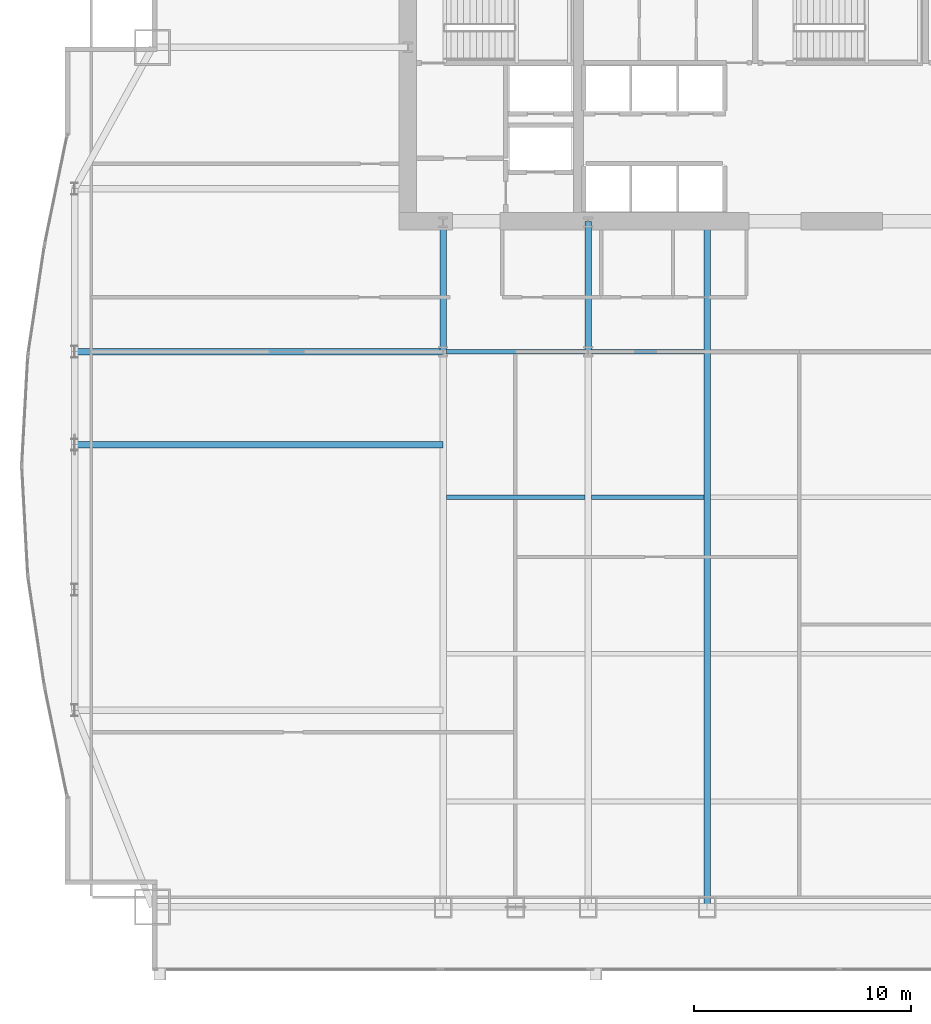
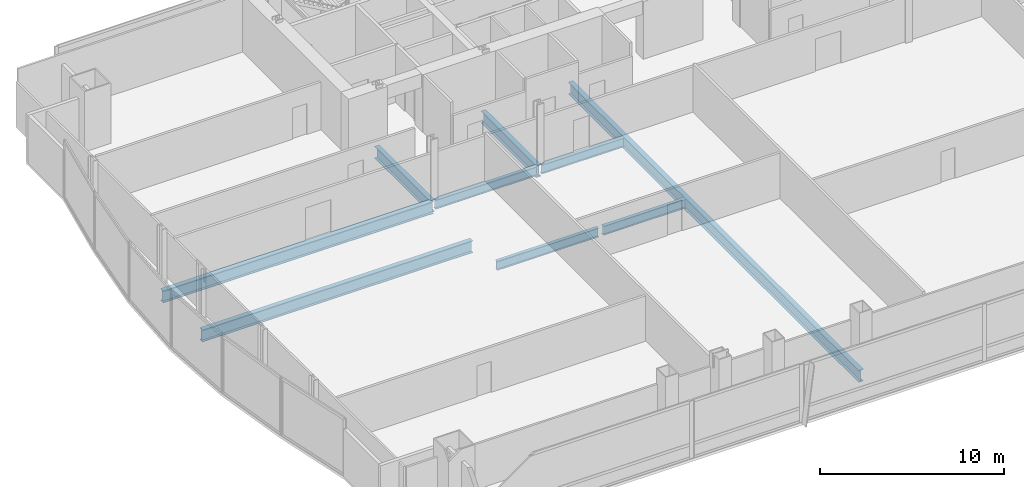
# One storey, part 11 of 36: 9 beams.
"""IFC4 building model written with IfcOpenShell, lengths in metres."""

from ifc_helpers import new_model, si_unit, direction, frame, origin, origin_2d, place, context, subcontext, project, spatial, i_section, extrude, material, material_profile, profile_set, type_object, element, save


model = new_model("IFC4")

# Units and contexts
model_context = context("Model", 3, precision=1e-05, world=origin(), true_north=direction((0.0, 1.0)))
body_context = subcontext(model_context, "Body", "Model", "MODEL_VIEW")
ifc_project = project(units=[si_unit("LENGTHUNIT", "METRE"), si_unit("AREAUNIT", "SQUARE_METRE"), si_unit("VOLUMEUNIT", "CUBIC_METRE"), si_unit("PLANEANGLEUNIT", "RADIAN"), si_unit("MASSUNIT", "GRAM", prefix="KILO")], contexts=[model_context])

# Site, building, storey
site_placement = place(None, origin())
site = spatial("IfcSite", under=ifc_project, at=site_placement, CompositionType="ELEMENT")
building_placement = place(site_placement, origin())
building = spatial("IfcBuilding", under=site, at=building_placement, Name="Khoronbel Lancet Exchange", CompositionType="ELEMENT")
storey_placement = place(building_placement, frame((0.0, 0.0, 57.800048828125)))
storey = spatial("IfcBuildingStorey", under=building, at=storey_placement, Name="L13", CompositionType="ELEMENT", Elevation=57.800048828125)

# Beams
ifc_material = material(Name="Steel S355", Category="steel")
ifc_material_profile_1 = material_profile(ifc_material, i_section(OverallWidth=0.300048828125, OverallDepth=0.800048828125, WebThickness=0.017578125, FlangeThickness=0.032958984375, at=origin_2d()), Name="HEB 800")
ifc_profile_set_1 = profile_set([ifc_material_profile_1], Name="Steel S355")
beam_type_1 = type_object("IfcBeamType", Name="BM-BG2", PredefinedType="BEAM", material=ifc_profile_set_1)
for number, where, z_axis, x_axis, name in (
    (1, (18.22509765625, 35.699951171875, -0.580078125), (0.0, 1.0, 0.0), (-1.0, 0.0, 0.0), "Level L13 spine tie girder GN1"),
    (2, (24.89990234375, 35.699951171875, -0.580078125), (0.0, 1.0, 0.0), (-1.0, 0.0, 0.0), "Level L13 spine tie girder GN2"),
):
    element("IfcBeam", number, at=place(storey_placement, frame(where, z_axis=z_axis, x_axis=x_axis)), inside=storey, type_object=beam_type_1, Name=name, PredefinedType="BEAM", context=body_context, shape_type="SweptSolid", body=[
        extrude(i_section(OverallWidth=0.300048828125, OverallDepth=0.800048828125, WebThickness=0.017578125, FlangeThickness=0.032958984375, at=origin_2d()), origin(), (0.0, 0.0, 1.0), 6.0),
    ])
beam_1_placement = place(storey_placement, frame((30.375, 10.14990234375, -0.580078125), z_axis=(0.0, 1.0, 0.0), x_axis=(-1.0, 0.0, 0.0)))
element("IfcBeam", 3, at=beam_1_placement, inside=storey, type_object=beam_type_1, Name="Level L13 primary floor girder G3", PredefinedType="BEAM", context=body_context, shape_type="SweptSolid", body=[
    extrude(i_section(OverallWidth=0.300048828125, OverallDepth=0.800048828125, WebThickness=0.017578125, FlangeThickness=0.032958984375, at=origin_2d()), origin(), (0.0, 0.0, 1.0), 31.550048828125),
])
for number, where, z_axis, x_axis, name in (
    (4, (1.27001953125, 31.425048828125, -0.580078125), (1.0, 0.0, 0.0), (0.0, 1.0, 0.0), "Level L13 west lens tie girder LG2W"),
    (5, (1.27001953125, 35.699951171875, -0.580078125), (1.0, 0.0, 0.0), (0.0, 1.0, 0.0), "Level L13 west lens tie girder LG4W"),
):
    element("IfcBeam", number, at=place(storey_placement, frame(where, z_axis=z_axis, x_axis=x_axis)), inside=storey, type_object=beam_type_1, Name=name, PredefinedType="BEAM", context=body_context, shape_type="SweptSolid", body=[
        extrude(i_section(OverallWidth=0.300048828125, OverallDepth=0.800048828125, WebThickness=0.017578125, FlangeThickness=0.032958984375, at=origin_2d()), origin(), (0.0, 0.0, 1.0), 16.955078125),
    ])
ifc_material_profile_2 = material_profile(ifc_material, i_section(OverallWidth=0.219970703125, OverallDepth=0.60009765625, WebThickness=0.011962890625, FlangeThickness=0.01904296875, at=origin_2d()), Name="IPE 600")
ifc_profile_set_2 = profile_set([ifc_material_profile_2], Name="Steel S355")
beam_type_2 = type_object("IfcBeamType", Name="BM-BJ1", PredefinedType="JOIST", material=ifc_profile_set_2)
beam_2_placement = place(storey_placement, frame((18.375, 29.0, -0.47998046875), z_axis=(1.0, 0.0, 0.0), x_axis=(0.0, 1.0, 0.0)))
element("IfcBeam", 6, at=beam_2_placement, inside=storey, type_object=beam_type_2, Name="Level L13 secondary composite joist J11", PredefinedType="JOIST", context=body_context, shape_type="SweptSolid", body=[
    extrude(i_section(OverallWidth=0.219970703125, OverallDepth=0.60009765625, WebThickness=0.011962890625, FlangeThickness=0.01904296875, at=origin_2d()), origin(), (0.0, 0.0, 1.0), 6.375),
])
beam_3_placement = place(storey_placement, frame((25.050048828125, 29.0, -0.47998046875), z_axis=(1.0, 0.0, 0.0), x_axis=(0.0, 1.0, 0.0)))
element("IfcBeam", 7, at=beam_3_placement, inside=storey, type_object=beam_type_2, Name="Level L13 secondary composite joist J12", PredefinedType="JOIST", context=body_context, shape_type="SweptSolid", body=[
    extrude(i_section(OverallWidth=0.219970703125, OverallDepth=0.60009765625, WebThickness=0.011962890625, FlangeThickness=0.01904296875, at=origin_2d()), origin(), (0.0, 0.0, 1.0), 5.175048828125),
])
beam_4_placement = place(storey_placement, frame((18.375, 35.699951171875, -0.47998046875), z_axis=(1.0, 0.0, 0.0), x_axis=(0.0, 1.0, 0.0)))
element("IfcBeam", 8, at=beam_4_placement, inside=storey, type_object=beam_type_2, Name="Level L13 secondary composite joist J16", PredefinedType="JOIST", context=body_context, shape_type="SweptSolid", body=[
    extrude(i_section(OverallWidth=0.219970703125, OverallDepth=0.60009765625, WebThickness=0.011962890625, FlangeThickness=0.01904296875, at=origin_2d()), origin(), (0.0, 0.0, 1.0), 6.375),
])
beam_5_placement = place(storey_placement, frame((25.050048828125, 35.699951171875, -0.47998046875), z_axis=(1.0, 0.0, 0.0), x_axis=(0.0, 1.0, 0.0)))
element("IfcBeam", 9, at=beam_5_placement, inside=storey, type_object=beam_type_2, Name="Level L13 secondary composite joist J17", PredefinedType="JOIST", context=body_context, shape_type="SweptSolid", body=[
    extrude(i_section(OverallWidth=0.219970703125, OverallDepth=0.60009765625, WebThickness=0.011962890625, FlangeThickness=0.01904296875, at=origin_2d()), origin(), (0.0, 0.0, 1.0), 5.175048828125),
])

save(model, "model.ifc")
